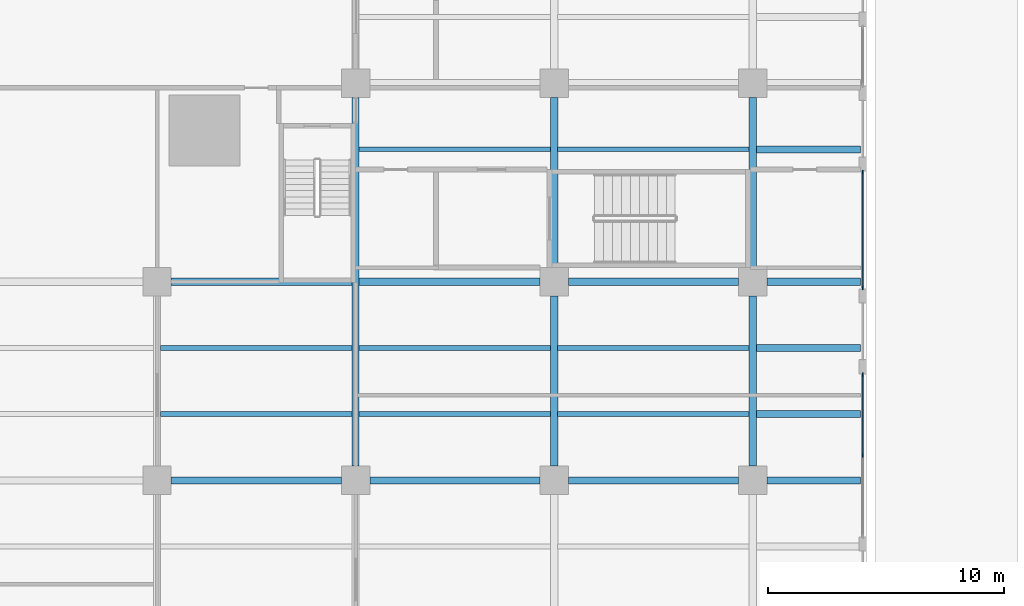
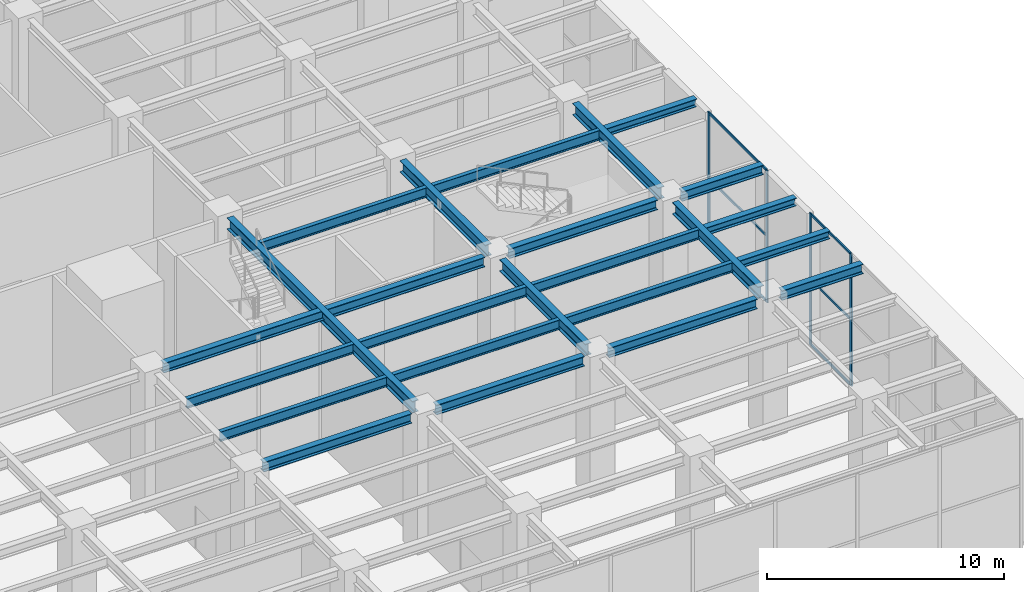
# One storey, part 12 of 43: 23 beams, 10 members, 2 elements without a shape of their own.
"""IFC4 building model written with IfcOpenShell, lengths in metres."""

from ifc_helpers import new_model, si_unit, direction, frame, origin, origin_2d, place, context, subcontext, project, spatial, rectangle, i_section, extrude, material, material_profile, profile_set, type_object, element, aggregate, save


model = new_model("IFC4")

# Units and contexts
model_context = context("Model", 3, precision=1e-05, world=origin(), true_north=direction((0.0, 1.0)))
body_context = subcontext(model_context, "Body", "Model", "MODEL_VIEW")
ifc_project = project(units=[si_unit("LENGTHUNIT", "METRE"), si_unit("AREAUNIT", "SQUARE_METRE"), si_unit("VOLUMEUNIT", "CUBIC_METRE"), si_unit("PLANEANGLEUNIT", "RADIAN"), si_unit("MASSUNIT", "GRAM", prefix="KILO")], contexts=[model_context])

# Site, building, storey
site_placement = place(None, origin())
site = spatial("IfcSite", under=ifc_project, at=site_placement, CompositionType="ELEMENT")
building_placement = place(site_placement, origin())
building = spatial("IfcBuilding", under=site, at=building_placement, Name="Khepri Terraces", CompositionType="ELEMENT")
storey_placement = place(building_placement, origin())
storey = spatial("IfcBuildingStorey", under=building, at=storey_placement, Name="L00", CompositionType="ELEMENT", Elevation=0.0)

# Curtain wall, members
ifc_material_1 = material(Name="Anodised aluminium bronze curtain wall", Category="aluminium")
curtain_wall_type = type_object("IfcCurtainWallType", Name="CW-SYS1-LOBBY", PredefinedType="NOTDEFINED", material=ifc_material_1)
curtain_wall_1_placement = place(storey_placement, origin())
curtain_wall_1 = element("IfcCurtainWall", 1, at=curtain_wall_1_placement, inside=storey, type_object=curtain_wall_type, Name="Curtain wall CW1 L00 E", PredefinedType="NOTDEFINED")
ifc_material_2 = material(Name="Anodised aluminium bronze", Category="aluminium")
ifc_material_profile_1 = material_profile(ifc_material_2, rectangle(XDim=0.06005859375, YDim=0.159912109375, at=origin_2d()), Name="Anodised aluminium bronze", Category="aluminium")
ifc_profile_set_1 = profile_set([ifc_material_profile_1], Name="Anodised aluminium bronze")
member_type_1 = type_object("IfcMemberType", Name="CW-MULLION-60x160", PredefinedType="MULLION", material=ifc_profile_set_1)
member_1_placement = place(storey_placement, frame((46.64990234375, -32.550048828125, 0.0), z_axis=(0.0, 0.0, 1.0), x_axis=(-1.0, 0.0, 0.0)))
member_1 = element("IfcMember", 2, at=member_1_placement, type_object=member_type_1, Name="CW1 mullion 2", PredefinedType="MULLION", context=body_context, shape_type="SweptSolid", body=[
    extrude(rectangle(XDim=0.06005859375, YDim=0.159912109375, at=origin_2d()), origin(), (0.0, 0.0, 1.0), 6.780029296875),
])
member_2_placement = place(storey_placement, frame((46.64990234375, -29.1298828125, 0.0), z_axis=(0.0, 0.0, 1.0), x_axis=(-1.0, 0.0, 0.0)))
member_2 = element("IfcMember", 3, at=member_2_placement, type_object=member_type_1, Name="CW1 mullion 3", PredefinedType="MULLION", context=body_context, shape_type="SweptSolid", body=[
    extrude(rectangle(XDim=0.06005859375, YDim=0.159912109375, at=origin_2d()), origin(), (0.0, 0.0, 1.0), 6.780029296875),
])

curtain_wall_2_placement = place(storey_placement, origin())
curtain_wall_2 = element("IfcCurtainWall", 4, at=curtain_wall_2_placement, inside=storey, type_object=curtain_wall_type, Name="Curtain wall CW1 L00 E", PredefinedType="NOTDEFINED")
member_3_placement = place(storey_placement, frame((46.64990234375, -25.469970703125, 0.0), z_axis=(0.0, 0.0, 1.0), x_axis=(-1.0, 0.0, 0.0)))
member_3 = element("IfcMember", 5, at=member_3_placement, type_object=member_type_1, Name="CW1 mullion 1", PredefinedType="MULLION", context=body_context, shape_type="SweptSolid", body=[
    extrude(rectangle(XDim=0.06005859375, YDim=0.159912109375, at=origin_2d()), origin(), (0.0, 0.0, 1.0), 6.780029296875),
])
member_4_placement = place(storey_placement, frame((46.64990234375, -20.554931640625, 0.0), z_axis=(0.0, 0.0, 1.0), x_axis=(-1.0, 0.0, 0.0)))
member_4 = element("IfcMember", 6, at=member_4_placement, type_object=member_type_1, Name="CW1 mullion 2", PredefinedType="MULLION", context=body_context, shape_type="SweptSolid", body=[
    extrude(rectangle(XDim=0.06005859375, YDim=0.159912109375, at=origin_2d()), origin(), (0.0, 0.0, 1.0), 6.780029296875),
])

# Member
ifc_material_profile_2 = material_profile(ifc_material_2, rectangle(XDim=0.06005859375, YDim=0.1201171875, at=origin_2d()), Name="Anodised aluminium bronze", Category="aluminium")
ifc_profile_set_2 = profile_set([ifc_material_profile_2], Name="Anodised aluminium bronze")
member_type_2 = type_object("IfcMemberType", Name="CW-TRANSOM-60x120", PredefinedType="USERDEFINED", material=ifc_profile_set_2)
member_5_placement = place(storey_placement, frame((46.64990234375, -32.52001953125, 0.030029296875), z_axis=(0.0, 1.0, 0.0), x_axis=(-1.0, 0.0, 0.0)))
member_5 = element("IfcMember", 7, at=member_5_placement, type_object=member_type_2, Name="CW1 transom 2.1", ObjectType="TRANSOM", PredefinedType="USERDEFINED", context=body_context, shape_type="SweptSolid", body=[
    extrude(rectangle(XDim=0.06005859375, YDim=0.1201171875, at=origin_2d()), origin(), (0.0, 0.0, 1.0), 3.360107421875),
])

member_6_placement = place(storey_placement, frame((46.64990234375, -32.52001953125, 3.389892578125), z_axis=(0.0, 1.0, 0.0), x_axis=(-1.0, 0.0, 0.0)))
member_6 = element("IfcMember", 8, at=member_6_placement, type_object=member_type_2, Name="CW1 transom 2.2", ObjectType="TRANSOM", PredefinedType="USERDEFINED", context=body_context, shape_type="SweptSolid", body=[
    extrude(rectangle(XDim=0.06005859375, YDim=0.1201171875, at=origin_2d()), origin(), (0.0, 0.0, 1.0), 3.360107421875),
])

member_7_placement = place(storey_placement, frame((46.64990234375, -32.52001953125, 6.75), z_axis=(0.0, 1.0, 0.0), x_axis=(-1.0, 0.0, 0.0)))
member_7 = element("IfcMember", 9, at=member_7_placement, type_object=member_type_2, Name="CW1 transom 2.3", ObjectType="TRANSOM", PredefinedType="USERDEFINED", context=body_context, shape_type="SweptSolid", body=[
    extrude(rectangle(XDim=0.06005859375, YDim=0.1201171875, at=origin_2d()), origin(), (0.0, 0.0, 1.0), 3.360107421875),
])

aggregate(curtain_wall_1, [member_1, member_2, member_5, member_6, member_7])

member_8_placement = place(storey_placement, frame((46.64990234375, -25.43994140625, 0.030029296875), z_axis=(0.0, 1.0, 0.0), x_axis=(-1.0, 0.0, 0.0)))
member_8 = element("IfcMember", 10, at=member_8_placement, type_object=member_type_2, Name="CW1 transom 1.1", ObjectType="TRANSOM", PredefinedType="USERDEFINED", context=body_context, shape_type="SweptSolid", body=[
    extrude(rectangle(XDim=0.06005859375, YDim=0.1201171875, at=origin_2d()), origin(), (0.0, 0.0, 1.0), 4.85498046875),
])

member_9_placement = place(storey_placement, frame((46.64990234375, -25.43994140625, 3.389892578125), z_axis=(0.0, 1.0, 0.0), x_axis=(-1.0, 0.0, 0.0)))
member_9 = element("IfcMember", 11, at=member_9_placement, type_object=member_type_2, Name="CW1 transom 1.2", ObjectType="TRANSOM", PredefinedType="USERDEFINED", context=body_context, shape_type="SweptSolid", body=[
    extrude(rectangle(XDim=0.06005859375, YDim=0.1201171875, at=origin_2d()), origin(), (0.0, 0.0, 1.0), 4.85498046875),
])

member_10_placement = place(storey_placement, frame((46.64990234375, -25.43994140625, 6.75), z_axis=(0.0, 1.0, 0.0), x_axis=(-1.0, 0.0, 0.0)))
member_10 = element("IfcMember", 12, at=member_10_placement, type_object=member_type_2, Name="CW1 transom 1.3", ObjectType="TRANSOM", PredefinedType="USERDEFINED", context=body_context, shape_type="SweptSolid", body=[
    extrude(rectangle(XDim=0.06005859375, YDim=0.1201171875, at=origin_2d()), origin(), (0.0, 0.0, 1.0), 4.85498046875),
])

aggregate(curtain_wall_2, [member_3, member_4, member_8, member_9, member_10])

# Beams
ifc_material_3 = material(Name="Steel S355", Category="steel")
ifc_material_profile_3 = material_profile(ifc_material_3, i_section(OverallWidth=0.300048828125, OverallDepth=0.39990234375, WebThickness=0.013427734375, FlangeThickness=0.02392578125, FilletRadius=0.027099609375, at=origin_2d()), Name="Steel S355", Category="steel")
ifc_profile_set_3 = profile_set([ifc_material_profile_3], Name="Steel S355")
beam_type_1 = type_object("IfcBeamType", Name="Podium cantilever joist L01 HEB 400", PredefinedType="JOIST", material=ifc_profile_set_3)
for number, where, z_axis, x_axis, name in (
    (13, (42.14990234375, -30.800048828125, 6.800048828125), (1.0, 0.0, 0.0), (0.0, 1.0, 0.0), "Podium cantilever joist L01 072"),
    (14, (42.14990234375, -28.0, 6.800048828125), (1.0, 0.0, 0.0), (0.0, 1.0, 0.0), "Podium cantilever joist L01 084"),
    (15, (42.14990234375, -19.60009765625, 6.800048828125), (1.0, 0.0, 0.0), (0.0, 1.0, 0.0), "Podium cantilever joist L01 100"),
):
    element("IfcBeam", number, at=place(storey_placement, frame(where, z_axis=z_axis, x_axis=x_axis)), inside=storey, type_object=beam_type_1, Name=name, PredefinedType="JOIST", context=body_context, shape_type="SweptSolid", body=[
        extrude(i_section(OverallWidth=0.300048828125, OverallDepth=0.39990234375, WebThickness=0.013427734375, FlangeThickness=0.02392578125, FilletRadius=0.027099609375, at=origin_2d()), origin(), (0.0, 0.0, 1.0), 4.400146484375),
    ])
ifc_material_profile_4 = material_profile(ifc_material_3, i_section(OverallWidth=0.300048828125, OverallDepth=0.60009765625, WebThickness=0.015380859375, FlangeThickness=0.030029296875, FilletRadius=0.027099609375, at=origin_2d()), Name="Steel S355", Category="steel")
ifc_profile_set_4 = profile_set([ifc_material_profile_4], Name="Steel S355")
beam_type_2 = type_object("IfcBeamType", Name="Podium girder L01 HEB 600", PredefinedType="BEAM", material=ifc_profile_set_4)
beam_1_placement = place(storey_placement, frame((25.199951171875, -33.0, 6.699951171875), z_axis=(0.0, 1.0, 0.0), x_axis=(-1.0, 0.0, 0.0)))
element("IfcBeam", 16, at=beam_1_placement, inside=storey, type_object=beam_type_2, Name="Podium girder L01 067", PredefinedType="BEAM", context=body_context, shape_type="SweptSolid", body=[
    extrude(i_section(OverallWidth=0.300048828125, OverallDepth=0.60009765625, WebThickness=0.015380859375, FlangeThickness=0.030029296875, FilletRadius=0.027099609375, at=origin_2d()), origin(), (0.0, 0.0, 1.0), 15.60009765625),
])
beam_2_placement = place(storey_placement, frame((33.60009765625, -33.0, 6.699951171875), z_axis=(0.0, 1.0, 0.0), x_axis=(-1.0, 0.0, 0.0)))
element("IfcBeam", 17, at=beam_2_placement, inside=storey, type_object=beam_type_2, Name="Podium girder L01 077", PredefinedType="BEAM", context=body_context, shape_type="SweptSolid", body=[
    extrude(i_section(OverallWidth=0.300048828125, OverallDepth=0.60009765625, WebThickness=0.015380859375, FlangeThickness=0.030029296875, FilletRadius=0.027099609375, at=origin_2d()), origin(), (0.0, 0.0, 1.0), 7.199951171875),
])
beam_3_placement = place(storey_placement, frame((33.60009765625, -24.60009765625, 6.699951171875), z_axis=(0.0, 1.0, 0.0), x_axis=(-1.0, 0.0, 0.0)))
element("IfcBeam", 18, at=beam_3_placement, inside=storey, type_object=beam_type_2, Name="Podium girder L01 078", PredefinedType="BEAM", context=body_context, shape_type="SweptSolid", body=[
    extrude(i_section(OverallWidth=0.300048828125, OverallDepth=0.60009765625, WebThickness=0.015380859375, FlangeThickness=0.030029296875, FilletRadius=0.027099609375, at=origin_2d()), origin(), (0.0, 0.0, 1.0), 7.2001953125),
])
beam_4_placement = place(storey_placement, frame((42.0, -33.0, 6.699951171875), z_axis=(0.0, 1.0, 0.0), x_axis=(-1.0, 0.0, 0.0)))
element("IfcBeam", 19, at=beam_4_placement, inside=storey, type_object=beam_type_2, Name="Podium girder L01 089", PredefinedType="BEAM", context=body_context, shape_type="SweptSolid", body=[
    extrude(i_section(OverallWidth=0.300048828125, OverallDepth=0.60009765625, WebThickness=0.015380859375, FlangeThickness=0.030029296875, FilletRadius=0.027099609375, at=origin_2d()), origin(), (0.0, 0.0, 1.0), 7.199951171875),
])
beam_5_placement = place(storey_placement, frame((42.0, -24.60009765625, 6.699951171875), z_axis=(0.0, 1.0, 0.0), x_axis=(-1.0, 0.0, 0.0)))
element("IfcBeam", 20, at=beam_5_placement, inside=storey, type_object=beam_type_2, Name="Podium girder L01 090", PredefinedType="BEAM", context=body_context, shape_type="SweptSolid", body=[
    extrude(i_section(OverallWidth=0.300048828125, OverallDepth=0.60009765625, WebThickness=0.015380859375, FlangeThickness=0.030029296875, FilletRadius=0.027099609375, at=origin_2d()), origin(), (0.0, 0.0, 1.0), 7.2001953125),
])
ifc_material_profile_5 = material_profile(ifc_material_3, i_section(OverallWidth=0.300048828125, OverallDepth=0.5, WebThickness=0.014404296875, FlangeThickness=0.028076171875, FilletRadius=0.027099609375, at=origin_2d()), Name="Steel S355", Category="steel")
ifc_profile_set_5 = profile_set([ifc_material_profile_5], Name="Steel S355")
beam_type_3 = type_object("IfcBeamType", Name="Podium girder L01 grid line HEB 500", PredefinedType="BEAM", material=ifc_profile_set_5)
beam_6_placement = place(storey_placement, frame((17.39990234375, -33.60009765625, 6.75), z_axis=(1.0, 0.0, 0.0), x_axis=(0.0, 1.0, 0.0)))
element("IfcBeam", 21, at=beam_6_placement, inside=storey, type_object=beam_type_3, Name="Podium grid-line girder L01 057", PredefinedType="BEAM", context=body_context, shape_type="SweptSolid", body=[
    extrude(i_section(OverallWidth=0.300048828125, OverallDepth=0.5, WebThickness=0.014404296875, FlangeThickness=0.028076171875, FilletRadius=0.027099609375, at=origin_2d()), origin(), (0.0, 0.0, 1.0), 7.2001953125),
])
for number, where, z_axis, x_axis, name in (
    (22, (25.800048828125, -33.60009765625, 6.75), (1.0, 0.0, 0.0), (0.0, 1.0, 0.0), "Podium grid-line girder L01 058"),
    (23, (34.199951171875, -33.60009765625, 6.75), (1.0, 0.0, 0.0), (0.0, 1.0, 0.0), "Podium grid-line girder L01 059"),
):
    element("IfcBeam", number, at=place(storey_placement, frame(where, z_axis=z_axis, x_axis=x_axis)), inside=storey, type_object=beam_type_3, Name=name, PredefinedType="BEAM", context=body_context, shape_type="SweptSolid", body=[
        extrude(i_section(OverallWidth=0.300048828125, OverallDepth=0.5, WebThickness=0.014404296875, FlangeThickness=0.028076171875, FilletRadius=0.027099609375, at=origin_2d()), origin(), (0.0, 0.0, 1.0), 7.199951171875),
    ])
beam_7_placement = place(storey_placement, frame((42.60009765625, -33.60009765625, 6.75), z_axis=(1.0, 0.0, 0.0), x_axis=(0.0, 1.0, 0.0)))
element("IfcBeam", 24, at=beam_7_placement, inside=storey, type_object=beam_type_3, Name="Podium grid-line girder L01 060", PredefinedType="BEAM", context=body_context, shape_type="SweptSolid", body=[
    extrude(i_section(OverallWidth=0.300048828125, OverallDepth=0.5, WebThickness=0.014404296875, FlangeThickness=0.028076171875, FilletRadius=0.027099609375, at=origin_2d()), origin(), (0.0, 0.0, 1.0), 3.949951171875),
])
beam_8_placement = place(storey_placement, frame((17.39990234375, -25.199951171875, 6.75), z_axis=(1.0, 0.0, 0.0), x_axis=(0.0, 1.0, 0.0)))
element("IfcBeam", 25, at=beam_8_placement, inside=storey, type_object=beam_type_3, Name="Podium grid-line girder L01 092", PredefinedType="BEAM", context=body_context, shape_type="SweptSolid", body=[
    extrude(i_section(OverallWidth=0.300048828125, OverallDepth=0.5, WebThickness=0.014404296875, FlangeThickness=0.028076171875, FilletRadius=0.027099609375, at=origin_2d()), origin(), (0.0, 0.0, 1.0), 15.60009765625),
])
beam_9_placement = place(storey_placement, frame((34.199951171875, -25.199951171875, 6.75), z_axis=(1.0, 0.0, 0.0), x_axis=(0.0, 1.0, 0.0)))
element("IfcBeam", 26, at=beam_9_placement, inside=storey, type_object=beam_type_3, Name="Podium grid-line girder L01 093", PredefinedType="BEAM", context=body_context, shape_type="SweptSolid", body=[
    extrude(i_section(OverallWidth=0.300048828125, OverallDepth=0.5, WebThickness=0.014404296875, FlangeThickness=0.028076171875, FilletRadius=0.027099609375, at=origin_2d()), origin(), (0.0, 0.0, 1.0), 7.199951171875),
])
beam_10_placement = place(storey_placement, frame((42.60009765625, -25.199951171875, 6.75), z_axis=(1.0, 0.0, 0.0), x_axis=(0.0, 1.0, 0.0)))
element("IfcBeam", 27, at=beam_10_placement, inside=storey, type_object=beam_type_3, Name="Podium grid-line girder L01 094", PredefinedType="BEAM", context=body_context, shape_type="SweptSolid", body=[
    extrude(i_section(OverallWidth=0.300048828125, OverallDepth=0.5, WebThickness=0.014404296875, FlangeThickness=0.028076171875, FilletRadius=0.027099609375, at=origin_2d()), origin(), (0.0, 0.0, 1.0), 3.949951171875),
])
ifc_material_profile_6 = material_profile(ifc_material_3, i_section(OverallWidth=0.199951171875, OverallDepth=0.5, WebThickness=0.01025390625, FlangeThickness=0.01611328125, FilletRadius=0.02099609375, at=origin_2d()), Name="Steel S355", Category="steel")
ifc_profile_set_6 = profile_set([ifc_material_profile_6], Name="Steel S355")
beam_type_4 = type_object("IfcBeamType", Name="Podium joist L01 IPE 500", PredefinedType="JOIST", material=ifc_profile_set_6)
beam_11_placement = place(storey_placement, frame((16.949951171875, -30.800048828125, 6.75), z_axis=(1.0, 0.0, 0.0), x_axis=(0.0, 1.0, 0.0)))
element("IfcBeam", 28, at=beam_11_placement, inside=storey, type_object=beam_type_4, Name="Podium joist L01 069", PredefinedType="JOIST", context=body_context, shape_type="SweptSolid", body=[
    extrude(i_section(OverallWidth=0.199951171875, OverallDepth=0.5, WebThickness=0.01025390625, FlangeThickness=0.01611328125, FilletRadius=0.02099609375, at=origin_2d()), origin(), (0.0, 0.0, 1.0), 8.10009765625),
])
beam_12_placement = place(storey_placement, frame((25.35009765625, -30.800048828125, 6.75), z_axis=(1.0, 0.0, 0.0), x_axis=(0.0, 1.0, 0.0)))
element("IfcBeam", 29, at=beam_12_placement, inside=storey, type_object=beam_type_4, Name="Podium joist L01 070", PredefinedType="JOIST", context=body_context, shape_type="SweptSolid", body=[
    extrude(i_section(OverallWidth=0.199951171875, OverallDepth=0.5, WebThickness=0.01025390625, FlangeThickness=0.01611328125, FilletRadius=0.02099609375, at=origin_2d()), origin(), (0.0, 0.0, 1.0), 8.099853515625),
])
for number, where, z_axis, x_axis, name in (
    (30, (33.75, -30.800048828125, 6.75), (1.0, 0.0, 0.0), (0.0, 1.0, 0.0), "Podium joist L01 071"),
    (31, (16.949951171875, -28.0, 6.75), (1.0, 0.0, 0.0), (0.0, 1.0, 0.0), "Podium joist L01 081"),
):
    element("IfcBeam", number, at=place(storey_placement, frame(where, z_axis=z_axis, x_axis=x_axis)), inside=storey, type_object=beam_type_4, Name=name, PredefinedType="JOIST", context=body_context, shape_type="SweptSolid", body=[
        extrude(i_section(OverallWidth=0.199951171875, OverallDepth=0.5, WebThickness=0.01025390625, FlangeThickness=0.01611328125, FilletRadius=0.02099609375, at=origin_2d()), origin(), (0.0, 0.0, 1.0), 8.10009765625),
    ])
beam_13_placement = place(storey_placement, frame((25.35009765625, -28.0, 6.75), z_axis=(1.0, 0.0, 0.0), x_axis=(0.0, 1.0, 0.0)))
element("IfcBeam", 32, at=beam_13_placement, inside=storey, type_object=beam_type_4, Name="Podium joist L01 082", PredefinedType="JOIST", context=body_context, shape_type="SweptSolid", body=[
    extrude(i_section(OverallWidth=0.199951171875, OverallDepth=0.5, WebThickness=0.01025390625, FlangeThickness=0.01611328125, FilletRadius=0.02099609375, at=origin_2d()), origin(), (0.0, 0.0, 1.0), 8.099853515625),
])
beam_14_placement = place(storey_placement, frame((33.75, -28.0, 6.75), z_axis=(1.0, 0.0, 0.0), x_axis=(0.0, 1.0, 0.0)))
element("IfcBeam", 33, at=beam_14_placement, inside=storey, type_object=beam_type_4, Name="Podium joist L01 083", PredefinedType="JOIST", context=body_context, shape_type="SweptSolid", body=[
    extrude(i_section(OverallWidth=0.199951171875, OverallDepth=0.5, WebThickness=0.01025390625, FlangeThickness=0.01611328125, FilletRadius=0.02099609375, at=origin_2d()), origin(), (0.0, 0.0, 1.0), 8.10009765625),
])
beam_15_placement = place(storey_placement, frame((25.35009765625, -19.60009765625, 6.75), z_axis=(1.0, 0.0, 0.0), x_axis=(0.0, 1.0, 0.0)))
element("IfcBeam", 34, at=beam_15_placement, inside=storey, type_object=beam_type_4, Name="Podium joist L01 098", PredefinedType="JOIST", context=body_context, shape_type="SweptSolid", body=[
    extrude(i_section(OverallWidth=0.199951171875, OverallDepth=0.5, WebThickness=0.01025390625, FlangeThickness=0.01611328125, FilletRadius=0.02099609375, at=origin_2d()), origin(), (0.0, 0.0, 1.0), 8.099853515625),
])
beam_16_placement = place(storey_placement, frame((33.75, -19.60009765625, 6.75), z_axis=(1.0, 0.0, 0.0), x_axis=(0.0, 1.0, 0.0)))
element("IfcBeam", 35, at=beam_16_placement, inside=storey, type_object=beam_type_4, Name="Podium joist L01 099", PredefinedType="JOIST", context=body_context, shape_type="SweptSolid", body=[
    extrude(i_section(OverallWidth=0.199951171875, OverallDepth=0.5, WebThickness=0.01025390625, FlangeThickness=0.01611328125, FilletRadius=0.02099609375, at=origin_2d()), origin(), (0.0, 0.0, 1.0), 8.10009765625),
])

save(model, "model.ifc")
